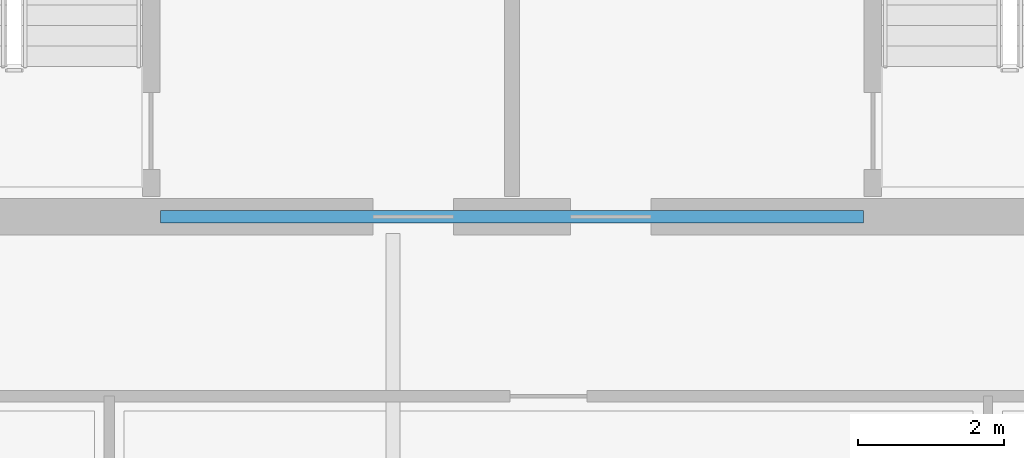
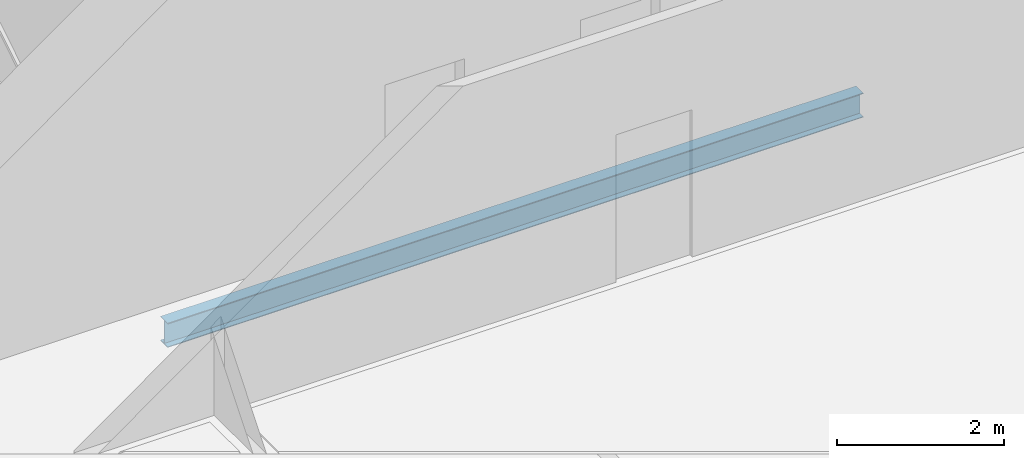
# One storey, part 6 of 26: 1 beam.
"""IFC4 building model written with IfcOpenShell, lengths in metres."""

from ifc_helpers import new_model, si_unit, direction, frame, origin, origin_2d, place, context, subcontext, project, spatial, i_section, extrude, material, material_profile, profile_set, type_object, element, save


model = new_model("IFC4")

# Units and contexts
model_context = context("Model", 3, precision=1e-05, world=origin(), true_north=direction((0.0, 1.0)))
body_context = subcontext(model_context, "Body", "Model", "MODEL_VIEW")
ifc_project = project(units=[si_unit("LENGTHUNIT", "METRE"), si_unit("AREAUNIT", "SQUARE_METRE"), si_unit("VOLUMEUNIT", "CUBIC_METRE"), si_unit("PLANEANGLEUNIT", "RADIAN"), si_unit("MASSUNIT", "GRAM", prefix="KILO")], contexts=[model_context])

# Site, building, storey
site_placement = place(None, origin())
site = spatial("IfcSite", under=ifc_project, at=site_placement, CompositionType="ELEMENT")
building_placement = place(site_placement, origin())
building = spatial("IfcBuilding", under=site, at=building_placement, Name="Haldenkirk Collegiate Tower", CompositionType="ELEMENT")
storey_placement = place(building_placement, frame((0.0, 0.0, 193.949951171875)))
storey = spatial("IfcBuildingStorey", under=building, at=storey_placement, Name="L48", CompositionType="ELEMENT", Elevation=193.949951171875)

# Beam
ifc_material = material(Name="Steel ASTM A992 Grade 50", Category="steel")
ifc_material_profile = material_profile(ifc_material, i_section(OverallWidth=0.1708984375, OverallDepth=0.35595703125, WebThickness=0.007080078125, FlangeThickness=0.01171875, at=origin_2d()), Name="W14X34")
ifc_profile_set = profile_set([ifc_material_profile], Name="Steel ASTM A992 Grade 50")
beam_type = type_object("IfcBeamType", Name="BM-LINTEL-W14X34", PredefinedType="LINTEL", material=ifc_profile_set)
beam_placement = place(storey_placement, frame((31.199951171875, 18.0, -0.587890625), z_axis=(1.0, 0.0, 0.0), x_axis=(0.0, 1.0, 0.0)))
element("IfcBeam", 1, at=beam_placement, inside=storey, type_object=beam_type, Name="L48 south core coupling lintel", PredefinedType="LINTEL", context=body_context, shape_type="SweptSolid", body=[
    extrude(i_section(OverallWidth=0.1708984375, OverallDepth=0.35595703125, WebThickness=0.007080078125, FlangeThickness=0.01171875, at=origin_2d()), origin(), (0.0, 0.0, 1.0), 9.60009765625),
])

save(model, "model.ifc")
